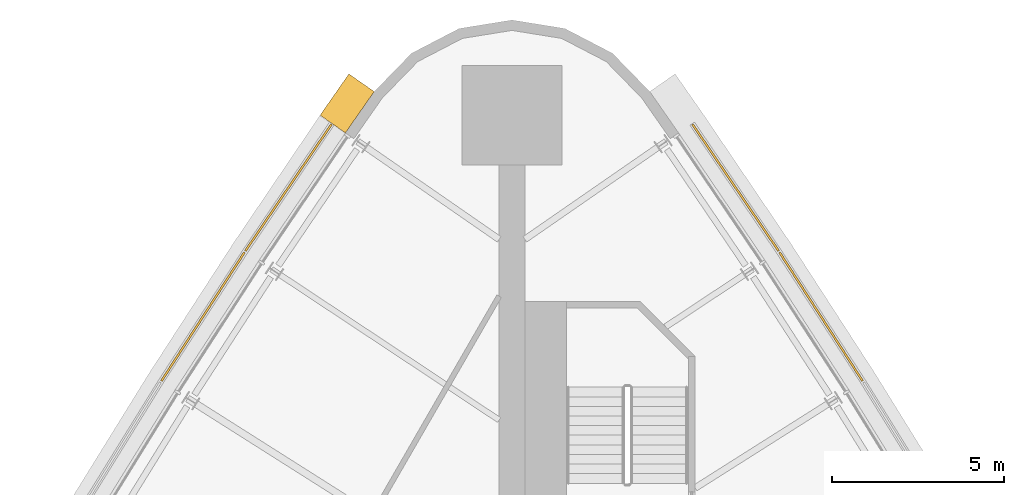
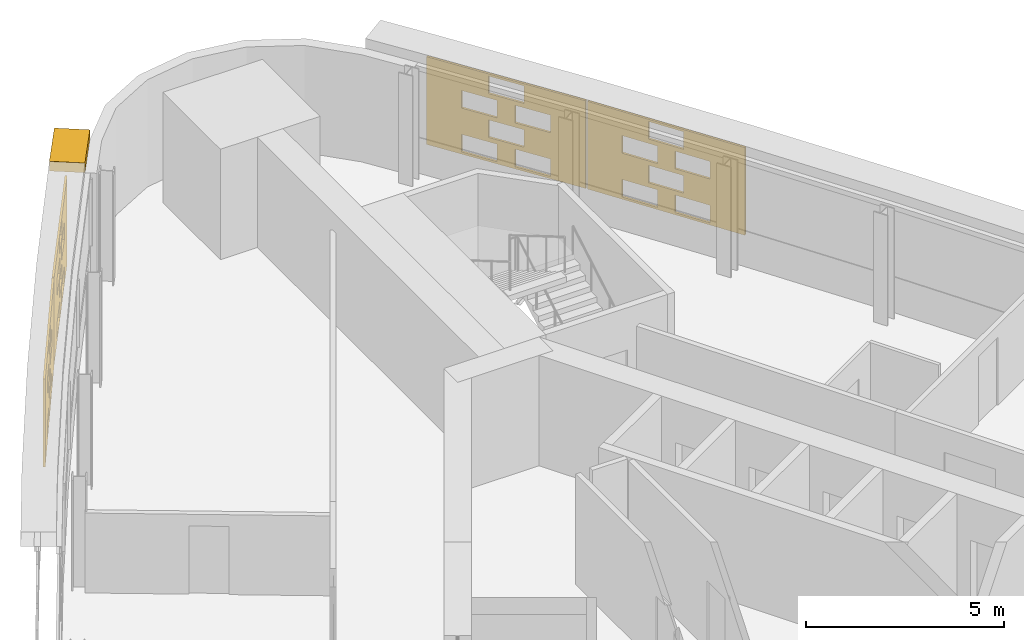
# One storey, part 13 of 13: 5 shading devices.
"""IFC4 building model written with IfcOpenShell, lengths in metres."""

from ifc_helpers import new_model, si_unit, direction, frame, origin, place, context, subcontext, project, spatial, polyline, outline, extrude, material, material_profile, profile_set, type_object, element, save


model = new_model("IFC4")

# Units and contexts
model_context = context("Model", 3, precision=1e-05, world=origin(), true_north=direction((0.0, 1.0)))
body_context = subcontext(model_context, "Body", "Model", "MODEL_VIEW")
ifc_project = project(units=[si_unit("LENGTHUNIT", "METRE"), si_unit("AREAUNIT", "SQUARE_METRE"), si_unit("VOLUMEUNIT", "CUBIC_METRE"), si_unit("PLANEANGLEUNIT", "RADIAN"), si_unit("MASSUNIT", "GRAM", prefix="KILO")], contexts=[model_context])

# Site, building, storey
site_placement = place(None, origin())
site = spatial("IfcSite", under=ifc_project, at=site_placement, CompositionType="ELEMENT")
building_placement = place(site_placement, origin())
building = spatial("IfcBuilding", under=site, at=building_placement, Name="Noor Cloister Tower", CompositionType="ELEMENT")
storey_placement = place(building_placement, frame((0.0, 0.0, 147.300048828125)))
storey = spatial("IfcBuildingStorey", under=building, at=storey_placement, Name="L37", CompositionType="ELEMENT", Elevation=147.300048828125)

# Shading devices
ifc_material_1 = material(Name="Limestone", Category="masonry")
ifc_material_profile = material_profile(ifc_material_1, outline(polyline([(-2.22998046875, -1.35009765625), (2.22998046875, -1.35009765625), (2.22998046875, 1.35009765625), (-2.22998046875, 1.35009765625), (-2.22998046875, -1.35009765625)]), holes=[polyline([(-1.25, -1.282470703125), (-0.25, -1.282470703125), (-0.25, -0.742431640625), (-1.25, -0.742431640625), (-1.25, -1.282470703125)]), polyline([(0.25, -1.282470703125), (1.25, -1.282470703125), (1.25, -0.742431640625), (0.25, -0.742431640625), (0.25, -1.282470703125)]), polyline([(-0.5, -0.607421875), (0.5, -0.607421875), (0.5, -0.0673828125), (-0.5, -0.0673828125), (-0.5, -0.607421875)]), polyline([(-1.25, 0.0673828125), (-0.25, 0.0673828125), (-0.25, 0.607421875), (-1.25, 0.607421875), (-1.25, 0.0673828125)]), polyline([(0.25, 0.0673828125), (1.25, 0.0673828125), (1.25, 0.607421875), (0.25, 0.607421875), (0.25, 0.0673828125)]), polyline([(-0.5, 0.742431640625), (0.5, 0.742431640625), (0.5, 1.282470703125), (-0.5, 1.282470703125), (-0.5, 0.742431640625)])]), Name="Woven screen 30 percent open")
ifc_profile_set = profile_set([ifc_material_profile], Name="Limestone")
shading_device_type_1 = type_object("IfcShadingDeviceType", Name="SCREEN woven limestone 30 percent open", PredefinedType="USERDEFINED", material=ifc_profile_set)
for number, where, z_axis, x_axis, name in (
    (1, (-6.48779296875, 21.952880859375, 1.849853515625), (-0.827002267371, 0.5621985857, 0.0), (-0.5621985857, -0.827002267371, 0.0), "SCREEN L37 1"),
    (2, (-8.97802734375, 18.194091796875, 1.849853515625), (-0.840116811995, 0.54240551454, 0.0), (-0.54240551454, -0.840116811995, 0.0), "SCREEN L37 2"),
    (3, (8.97802734375, 18.194091796875, 1.849853515625), (0.840116811995, 0.54240551454, 0.0), (-0.54240551454, 0.840116811995, 0.0), "SCREEN L37 7"),
    (4, (6.48779296875, 21.952880859375, 1.849853515625), (0.827002267371, 0.5621985857, 0.0), (-0.5621985857, 0.827002267371, 0.0), "SCREEN L37 8"),
):
    element("IfcShadingDevice", number, at=place(storey_placement, frame(where, z_axis=z_axis, x_axis=x_axis)), inside=storey, type_object=shading_device_type_1, Name=name, ObjectType="SCREEN", PredefinedType="USERDEFINED", context=body_context, shape_type="SweptSolid", body=[
        extrude(outline(polyline([(-2.22998046875, -1.35009765625), (2.22998046875, -1.35009765625), (2.22998046875, 1.35009765625), (-2.22998046875, 1.35009765625), (-2.22998046875, -1.35009765625)]), holes=[polyline([(-1.25, -1.282470703125), (-0.25, -1.282470703125), (-0.25, -0.742431640625), (-1.25, -0.742431640625), (-1.25, -1.282470703125)]), polyline([(0.25, -1.282470703125), (1.25, -1.282470703125), (1.25, -0.742431640625), (0.25, -0.742431640625), (0.25, -1.282470703125)]), polyline([(-0.5, -0.607421875), (0.5, -0.607421875), (0.5, -0.0673828125), (-0.5, -0.0673828125), (-0.5, -0.607421875)]), polyline([(-1.25, 0.0673828125), (-0.25, 0.0673828125), (-0.25, 0.607421875), (-1.25, 0.607421875), (-1.25, 0.0673828125)]), polyline([(0.25, 0.0673828125), (1.25, 0.0673828125), (1.25, 0.607421875), (0.25, 0.607421875), (0.25, 0.0673828125)]), polyline([(-0.5, 0.742431640625), (0.5, 0.742431640625), (0.5, 1.282470703125), (-0.5, 1.282470703125), (-0.5, 0.742431640625)])]), origin(), (0.0, 0.0, 1.0), 0.059814453125),
    ])
ifc_material_2 = material(Name="Limestone", Category="masonry")
shading_device_type_2 = type_object("IfcShadingDeviceType", Name="SUNSHADE limestone band 900", PredefinedType="USERDEFINED", material=ifc_material_2)
shading_device_placement = place(storey_placement, frame((0.0, 0.0, 3.300048828125)))
element("IfcShadingDevice", 5, at=shading_device_placement, inside=storey, type_object=shading_device_type_2, Name="SUNSHADE L37 4", ObjectType="SUNSHADE", PredefinedType="USERDEFINED", context=body_context, shape_type="SweptSolid", body=[
    extrude(outline(polyline([(-4.752197265625, 25.281982421875), (-5.591552734375, 24.078125), (-4.853271484375, 23.5634765625), (-4.013916015625, 24.76708984375), (-4.752197265625, 25.281982421875)])), origin(), (0.0, 0.0, 1.0), 0.2998046875),
])

save(model, "model.ifc")
